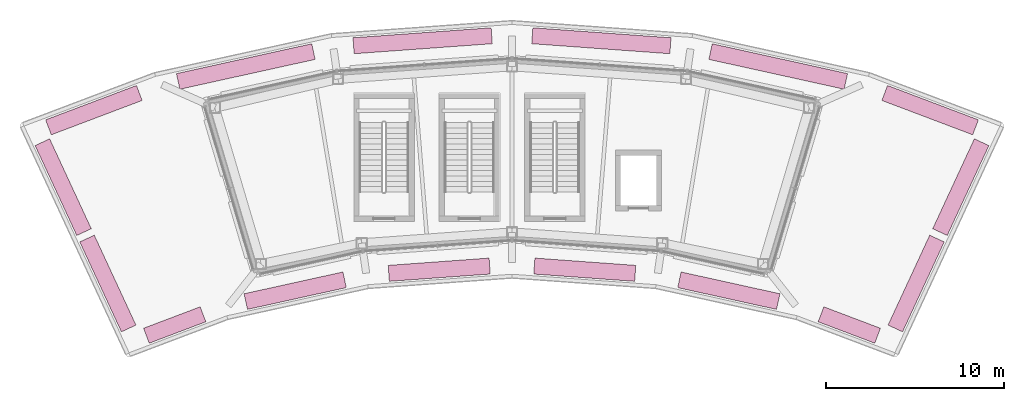
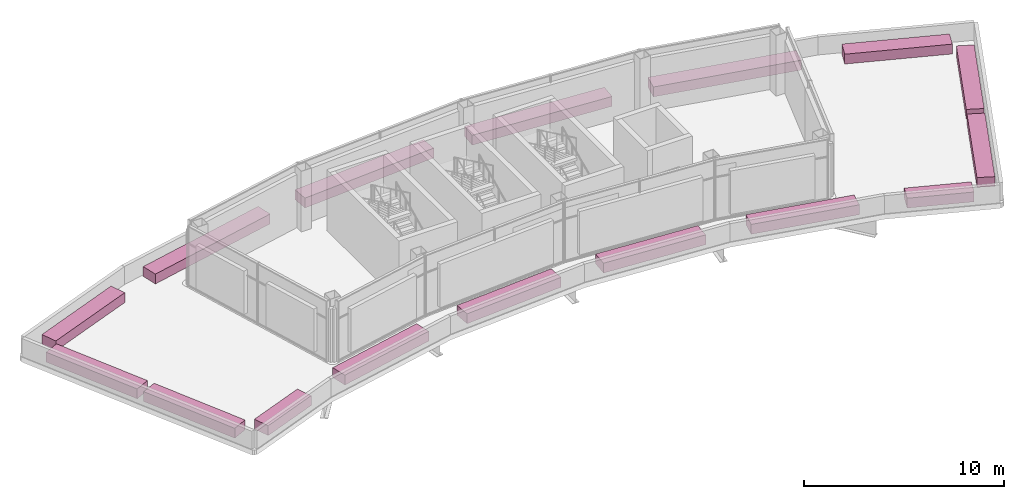
# One storey, part 7 of 7: 16 furnishings.
"""IFC4 building model written with IfcOpenShell, lengths in metres."""

from ifc_helpers import new_model, si_unit, direction, frame, origin, origin_2d, place, context, subcontext, project, spatial, rectangle, extrude, material, type_object, element, save


model = new_model("IFC4")

# Units and contexts
model_context = context("Model", 3, precision=1e-05, world=origin(), true_north=direction((0.0, 1.0)))
body_context = subcontext(model_context, "Body", "Model", "MODEL_VIEW")
ifc_project = project(units=[si_unit("LENGTHUNIT", "METRE"), si_unit("AREAUNIT", "SQUARE_METRE"), si_unit("VOLUMEUNIT", "CUBIC_METRE"), si_unit("PLANEANGLEUNIT", "RADIAN"), si_unit("MASSUNIT", "GRAM", prefix="KILO")], contexts=[model_context])

# Site, building, storey
site_placement = place(None, origin())
site = spatial("IfcSite", under=ifc_project, at=site_placement, CompositionType="ELEMENT")
building_placement = place(site_placement, origin())
building = spatial("IfcBuilding", under=site, at=building_placement, Name="Tuul Gate Civic Tower", CompositionType="ELEMENT")
storey_placement = place(building_placement, frame((0.0, 0.0, 376.10009765625)))
storey = spatial("IfcBuildingStorey", under=building, at=storey_placement, Name="Crown tier 3 lower", CompositionType="ELEMENT", Elevation=376.10009765625)

# Furnishings
ifc_material = material(Name="Planting soil")
furnishing_element_type = type_object("IfcFurnishingElementType", Name="Planter", material=ifc_material)
for number, where, z_axis, x_axis, name in (
    (1, (24.902099609375, -4.388671875, -0.000244140625), (0.0, 0.0, 1.0), (0.420409146517, 0.90733464032, 0.0), "Planter"),
    (2, (27.4111328125, 1.0263671875, -0.000244140625), (0.0, 0.0, 1.0), (0.420409146517, 0.90733464032, 0.0), "Planter"),
):
    element("IfcFurnishingElement", number, at=place(storey_placement, frame(where, z_axis=z_axis, x_axis=x_axis)), inside=storey, type_object=furnishing_element_type, Name=name, context=body_context, shape_type="SweptSolid", body=[
        extrude(rectangle(XDim=5.568115234375, YDim=0.89990234375, at=origin_2d()), origin(), (0.0, 0.0, 1.0), 0.60009765625),
    ])
furnishing_1_placement = place(storey_placement, frame((25.6875, 5.353271484375, -0.000244140625), z_axis=(0.0, 0.0, 1.0), x_axis=(-0.935357968744, 0.353702516682, 0.0)))
element("IfcFurnishingElement", 3, at=furnishing_1_placement, inside=storey, type_object=furnishing_element_type, Name="Planter", context=body_context, shape_type="SweptSolid", body=[
    extrude(rectangle(XDim=5.456787109375, YDim=0.89990234375, at=origin_2d()), origin(), (0.0, 0.0, 1.0), 0.60009765625),
])
for number, where, z_axis, x_axis, name in (
    (4, (17.15087890625, 7.8056640625, -0.000244140625), (0.0, 0.0, 1.0), (-0.976564456215, 0.215225144576, 0.0), "Planter"),
    (5, (7.213134765625, 9.253173828125, -0.000244140625), (0.0, 0.0, 1.0), (-0.997385411412, 0.072265767156, 0.0), "Planter"),
    (6, (-2.8291015625, 9.253173828125, -0.000244140625), (0.0, 0.0, 1.0), (-0.997385411412, -0.072265767156, 0.0), "Planter"),
    (7, (-12.766845703125, 7.8056640625, -0.000244140625), (0.0, 0.0, 1.0), (-0.976564456215, -0.215225144576, 0.0), "Planter"),
):
    element("IfcFurnishingElement", number, at=place(storey_placement, frame(where, z_axis=z_axis, x_axis=x_axis)), inside=storey, type_object=furnishing_element_type, Name=name, context=body_context, shape_type="SweptSolid", body=[
        extrude(rectangle(XDim=7.78466796875, YDim=0.89990234375, at=origin_2d()), origin(), (0.0, 0.0, 1.0), 0.60009765625),
    ])
furnishing_2_placement = place(storey_placement, frame((-21.303466796875, 5.353271484375, -0.000244140625), z_axis=(0.0, 0.0, 1.0), x_axis=(-0.935357968744, -0.353702516682, 0.0)))
element("IfcFurnishingElement", 8, at=furnishing_2_placement, inside=storey, type_object=furnishing_element_type, Name="Planter", context=body_context, shape_type="SweptSolid", body=[
    extrude(rectangle(XDim=5.456787109375, YDim=0.89990234375, at=origin_2d()), origin(), (0.0, 0.0, 1.0), 0.60009765625),
])
for number, where, z_axis, x_axis, name in (
    (9, (-23.027099609375, 1.0263671875, -0.000244140625), (0.0, 0.0, 1.0), (0.420409146517, -0.90733464032, 0.0), "Planter"),
    (10, (-20.51806640625, -4.388671875, -0.000244140625), (0.0, 0.0, 1.0), (0.420409146517, -0.90733464032, 0.0), "Planter"),
):
    element("IfcFurnishingElement", number, at=place(storey_placement, frame(where, z_axis=z_axis, x_axis=x_axis)), inside=storey, type_object=furnishing_element_type, Name=name, context=body_context, shape_type="SweptSolid", body=[
        extrude(rectangle(XDim=5.568115234375, YDim=0.89990234375, at=origin_2d()), origin(), (0.0, 0.0, 1.0), 0.60009765625),
    ])
furnishing_3_placement = place(storey_placement, frame((-16.761474609375, -6.720703125, -0.000244140625), z_axis=(0.0, 0.0, 1.0), x_axis=(0.935326352014, 0.353786115087, 0.0)))
element("IfcFurnishingElement", 11, at=furnishing_3_placement, inside=storey, type_object=furnishing_element_type, Name="Planter", context=body_context, shape_type="SweptSolid", body=[
    extrude(rectangle(XDim=3.400146484375, YDim=0.89990234375, at=origin_2d()), origin(), (0.0, 0.0, 1.0), 0.60009765625),
])
furnishing_4_placement = place(storey_placement, frame((-9.99072265625, -4.791748046875, -0.000244140625), z_axis=(0.0, 0.0, 1.0), x_axis=(0.976563933424, 0.215227516677, 0.0)))
element("IfcFurnishingElement", 12, at=furnishing_4_placement, inside=storey, type_object=furnishing_element_type, Name="Planter", context=body_context, shape_type="SweptSolid", body=[
    extrude(rectangle(XDim=5.6845703125, YDim=0.89990234375, at=origin_2d()), origin(), (0.0, 0.0, 1.0), 0.60009765625),
])
for number, where, z_axis, x_axis, name in (
    (13, (-1.897216796875, -3.613037109375, -0.000244140625), (0.0, 0.0, 1.0), (0.997387250784, 0.072240376338, 0.0), "Planter"),
    (14, (6.28125, -3.613037109375, -0.000244140625), (0.0, 0.0, 1.0), (0.997387250784, -0.072240376338, 0.0), "Planter"),
):
    element("IfcFurnishingElement", number, at=place(storey_placement, frame(where, z_axis=z_axis, x_axis=x_axis)), inside=storey, type_object=furnishing_element_type, Name=name, context=body_context, shape_type="SweptSolid", body=[
        extrude(rectangle(XDim=5.68408203125, YDim=0.89990234375, at=origin_2d()), origin(), (0.0, 0.0, 1.0), 0.60009765625),
    ])
furnishing_5_placement = place(storey_placement, frame((14.374755859375, -4.791748046875, -0.000244140625), z_axis=(0.0, 0.0, 1.0), x_axis=(0.976563933424, -0.215227516677, 0.0)))
element("IfcFurnishingElement", 15, at=furnishing_5_placement, inside=storey, type_object=furnishing_element_type, Name="Planter", context=body_context, shape_type="SweptSolid", body=[
    extrude(rectangle(XDim=5.6845703125, YDim=0.89990234375, at=origin_2d()), origin(), (0.0, 0.0, 1.0), 0.60009765625),
])
furnishing_6_placement = place(storey_placement, frame((21.1455078125, -6.720703125, -0.000244140625), z_axis=(0.0, 0.0, 1.0), x_axis=(0.935326352014, -0.353786115087, 0.0)))
element("IfcFurnishingElement", 16, at=furnishing_6_placement, inside=storey, type_object=furnishing_element_type, Name="Planter", context=body_context, shape_type="SweptSolid", body=[
    extrude(rectangle(XDim=3.400146484375, YDim=0.89990234375, at=origin_2d()), origin(), (0.0, 0.0, 1.0), 0.60009765625),
])

save(model, "model.ifc")
